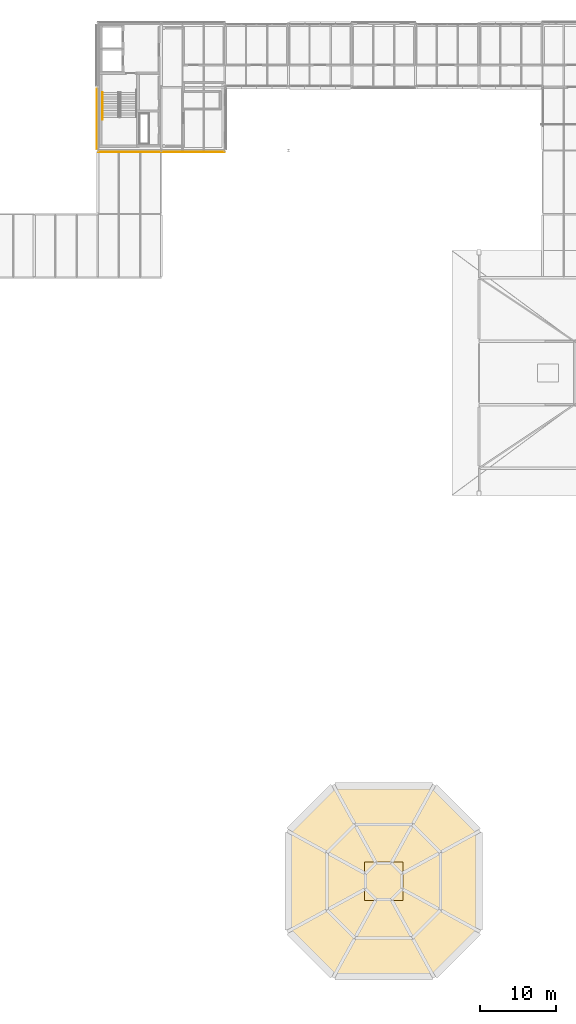
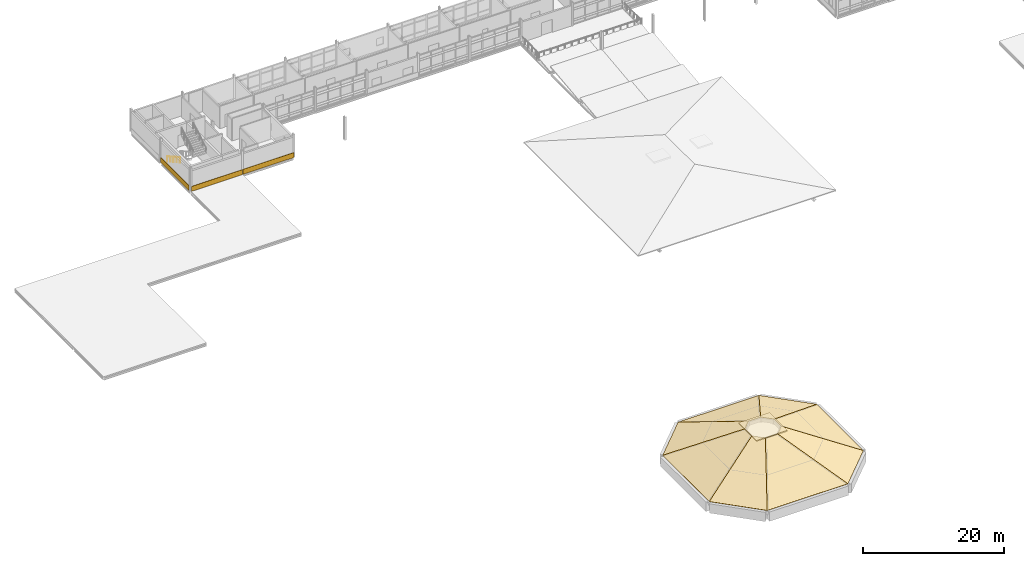
# One storey, part 58 of 66: 12 coverings, 1 railing.
"""IFC4 building model written with IfcOpenShell, lengths in metres."""

from ifc_helpers import new_model, si_unit, direction, frame, origin, origin_2d, place, context, subcontext, project, spatial, polyline, rectangle, circle, outline, extrude, material, layer, layer_set, type_object, element, save


model = new_model("IFC4")

# Units and contexts
model_context = context("Model", 3, precision=1e-05, world=origin(), true_north=direction((0.0, 1.0)))
body_context = subcontext(model_context, "Body", "Model", "MODEL_VIEW")
ifc_project = project(units=[si_unit("LENGTHUNIT", "METRE"), si_unit("AREAUNIT", "SQUARE_METRE"), si_unit("VOLUMEUNIT", "CUBIC_METRE"), si_unit("PLANEANGLEUNIT", "RADIAN"), si_unit("MASSUNIT", "GRAM", prefix="KILO")], contexts=[model_context])

# Site, building, storey
site_placement = place(None, origin())
site = spatial("IfcSite", under=ifc_project, at=site_placement, CompositionType="ELEMENT")
building_placement = place(site_placement, origin())
building = spatial("IfcBuilding", under=site, at=building_placement, Name="Mersafa Astral City Hall", CompositionType="ELEMENT")
storey_placement = place(building_placement, frame((0.0, 0.0, 22.050048828125)))
storey = spatial("IfcBuildingStorey", under=building, at=storey_placement, Name="L05", CompositionType="ELEMENT", Elevation=22.050048828125)

# Coverings
ifc_material_1 = material(Name="Cairo Mokattam buff limestone cladding", Category="masonry")
ifc_layer_1 = layer(ifc_material_1, 0.06005859375, Name="Cairo Mokattam buff limestone cladding")
ifc_layer_set_1 = layer_set([ifc_layer_1], Name="Cairo Mokattam buff limestone cladding — ENV-COV-LIMESTONE-60")
covering_type_1 = type_object("IfcCoveringType", Name="ENV-COV-LIMESTONE-60", PredefinedType="CLADDING", material=ifc_layer_set_1)
covering_1_placement = place(storey_placement, frame((41.860595703125, 113.405029296875, 0.0), z_axis=(0.0, 0.0, 1.0), x_axis=(0.0, -1.0, 0.0)))
element("IfcCovering", 1, at=covering_1_placement, inside=storey, type_object=covering_type_1, Name="L05 Cairo buff limestone rainscreen cladding 337", PredefinedType="CLADDING", context=body_context, shape_type="SweptSolid", body=[
    extrude(rectangle(XDim=7.998046875, YDim=0.06005859375, at=origin_2d()), origin(), (0.0, 0.0, 1.0), 0.860107421875),
])
for number, where, z_axis, x_axis, name in (
    (2, (46.199951171875, 109.02294921875, 0.0), (0.0, 0.0, 1.0), (1.0, 0.0, 0.0), "L05 Cairo buff limestone rainscreen cladding 338"),
    (3, (54.60009765625, 109.030517578125, 0.0), (0.0, 0.0, 1.0), (1.0, 0.0, 0.0), "L05 Cairo buff limestone rainscreen cladding 339"),
):
    element("IfcCovering", number, at=place(storey_placement, frame(where, z_axis=z_axis, x_axis=x_axis)), inside=storey, type_object=covering_type_1, Name=name, PredefinedType="CLADDING", context=body_context, shape_type="SweptSolid", body=[
        extrude(rectangle(XDim=8.323974609375, YDim=0.06005859375, at=origin_2d()), origin(), (0.0, 0.0, 1.0), 0.860107421875),
    ])
ifc_material_2 = material(Name="Egyptian ceramic terracotta roof tile", Category="masonry")
ifc_layer_2 = layer(ifc_material_2, 0.054931640625, Name="Egyptian ceramic terracotta roof tile")
ifc_layer_set_2 = layer_set([ifc_layer_2], Name="Egyptian ceramic terracotta roof tile — ENV-COV-TERRACOTTA-55")
covering_type_2 = type_object("IfcCoveringType", Name="ENV-COV-TERRACOTTA-55", PredefinedType="ROOFING", material=ifc_layer_set_2)
covering_2_placement = place(storey_placement, frame((73.199951171875, 0.0, 0.052978515625), z_axis=(0.0, -0.396085298154, 0.918213720539), x_axis=(1.0, 0.0, 0.0)))
element("IfcCovering", 4, at=covering_2_placement, inside=storey, type_object=covering_type_2, Name="L05 Warm terracotta ceramic roof tile covering 1", PredefinedType="ROOFING", context=body_context, shape_type="SweptSolid", body=[
    extrude(outline(polyline([(0.0, 0.0), (13.199951171875, 0.0), (7.60009765625, 11.108471746517202), (5.60009765625, 11.108471746517202), (0.0, 0.0)])), origin(), (0.0, 0.0, -1.0), 0.054931640625),
])
covering_3_placement = place(storey_placement, frame((86.39990234375, 0.0, 0.052978515625), z_axis=(0.259110928282, -0.25910237987, 0.930444777292), x_axis=(0.707105214967, 0.70710834738, -5.624204e-06)))
element("IfcCovering", 5, at=covering_3_placement, inside=storey, type_object=covering_type_2, Name="L05 Warm terracotta ceramic roof tile covering 2", PredefinedType="ROOFING", context=body_context, shape_type="SweptSolid", body=[
    extrude(outline(polyline([(0.0, 0.0), (8.485281374083556, 8.881784197001252e-16), (5.232693760970947, 12.007493998295539), (3.2527602466041103, 12.007333372364984), (0.0, 0.0)])), origin(), (0.0, 0.0, -1.0), 0.054931640625),
])
covering_4_placement = place(storey_placement, frame((92.39990234375, 6.0, 0.052978515625), z_axis=(0.396085298154, 0.0, 0.918213720539), x_axis=(0.0, 1.0, 0.0)))
element("IfcCovering", 6, at=covering_4_placement, inside=storey, type_object=covering_type_2, Name="L05 Warm terracotta ceramic roof tile covering 3", PredefinedType="ROOFING", context=body_context, shape_type="SweptSolid", body=[
    extrude(outline(polyline([(0.0, 0.0), (13.199951171875, 0.0), (7.60009765625, 11.108471746517202), (5.60009765625, 11.108471746517202), (0.0, 0.0)])), origin(), (0.0, 0.0, -1.0), 0.054931640625),
])
covering_5_placement = place(storey_placement, frame((92.39990234375, 19.199951171875, 0.052978515625), z_axis=(0.259108387127, 0.259108387127, 0.930443812081), x_axis=(-0.707106781187, 0.707106781187, 0.0)))
element("IfcCovering", 7, at=covering_5_placement, inside=storey, type_object=covering_type_2, Name="L05 Warm terracotta ceramic roof tile covering 4", PredefinedType="ROOFING", context=body_context, shape_type="SweptSolid", body=[
    extrude(outline(polyline([(0.0, 0.0), (8.485281374238571, 0.0), (5.232521127383852, 12.007333372406643), (3.252760246854719, 12.007333372406642), (0.0, 0.0)])), origin(), (0.0, 0.0, -1.0), 0.054931640625),
])
covering_6_placement = place(storey_placement, frame((86.39990234375, 25.199951171875, 0.052978515625), z_axis=(0.0, 0.396085298154, 0.918213720539), x_axis=(-1.0, 0.0, 0.0)))
element("IfcCovering", 8, at=covering_6_placement, inside=storey, type_object=covering_type_2, Name="L05 Warm terracotta ceramic roof tile covering 5", PredefinedType="ROOFING", context=body_context, shape_type="SweptSolid", body=[
    extrude(outline(polyline([(0.0, 0.0), (13.199951171875, 0.0), (7.599853515625, 11.108471746517202), (5.599853515625, 11.108471746517202), (0.0, 0.0)])), origin(), (0.0, 0.0, -1.0), 0.054931640625),
])
covering_7_placement = place(storey_placement, frame((73.199951171875, 25.199951171875, 0.052978515625), z_axis=(-0.25910237987, 0.259110928282, 0.930444777292), x_axis=(-0.70710834738, -0.707105214967, 5.624204e-06)))
element("IfcCovering", 9, at=covering_7_placement, inside=storey, type_object=covering_type_2, Name="L05 Warm terracotta ceramic roof tile covering 6", PredefinedType="ROOFING", context=body_context, shape_type="SweptSolid", body=[
    extrude(outline(polyline([(0.0, 0.0), (8.485281374083556, -8.881784197001252e-16), (5.232521127479445, 12.007333372364984), (3.2525876131126075, 12.007493998295539), (0.0, 0.0)])), origin(), (0.0, 0.0, -1.0), 0.054931640625),
])
covering_8_placement = place(storey_placement, frame((67.199951171875, 19.199951171875, 0.052978515625), z_axis=(-0.396085298154, 0.0, 0.918213720539), x_axis=(0.0, -1.0, 0.0)))
element("IfcCovering", 10, at=covering_8_placement, inside=storey, type_object=covering_type_2, Name="L05 Warm terracotta ceramic roof tile covering 7", PredefinedType="ROOFING", context=body_context, shape_type="SweptSolid", body=[
    extrude(outline(polyline([(0.0, 0.0), (13.199951171875, 0.0), (7.599853515625, 11.108471746517202), (5.599853515625, 11.108471746517202), (0.0, 0.0)])), origin(), (0.0, 0.0, -1.0), 0.054931640625),
])
covering_9_placement = place(storey_placement, frame((67.199951171875, 6.0, 0.052978515625), z_axis=(-0.259104920998, -0.259104920998, 0.93044574255), x_axis=(0.707106781187, -0.707106781187, 0.0)))
element("IfcCovering", 11, at=covering_9_placement, inside=storey, type_object=covering_type_2, Name="L05 Warm terracotta ceramic roof tile covering 8", PredefinedType="ROOFING", context=body_context, shape_type="SweptSolid", body=[
    extrude(outline(polyline([(0.0, 0.0), (8.485281374238571, 0.0), (5.232693760875352, 12.007493998337198), (3.2525876133632186, 12.007493998337198), (0.0, 0.0)])), origin(), (0.0, 0.0, -1.0), 0.054931640625),
])
ifc_material_3 = material(Name="Laminated solar control double skylight glazing", Category="glass")
covering_type_3 = type_object("IfcCoveringType", Name="ENV-SKY-OCULUS", PredefinedType="MEMBRANE", material=ifc_material_3)
covering_10_placement = place(storey_placement, frame((79.800048828125, 12.60009765625, 4.41015625), z_axis=(0.0, 0.0, 1.0), x_axis=(1.0, 0.0, 0.0)))
element("IfcCovering", 12, at=covering_10_placement, inside=storey, type_object=covering_type_3, Name="Council Chamber Solar Oculus Glazed Skylight", PredefinedType="MEMBRANE", context=body_context, shape_type="SweptSolid", body=[
    extrude(rectangle(XDim=5.10009765625, YDim=5.10009765625, at=origin_2d()), origin(), (0.0, 0.0, 1.0), 0.219970703125),
])

# Railing
ifc_material_4 = material(Name="Brushed stainless steel tubular handrail", Category="steel")
railing_type = type_object("IfcRailingType", Name="HANDRAIL", PredefinedType="HANDRAIL", material=ifc_material_4)
railing_placement = place(storey_placement, frame((42.6298828125, 116.89990234375, 0.168701171875)))
element("IfcRailing", 13, at=railing_placement, inside=storey, type_object=railing_type, Name="L05 ST3 stair handrail 1", PredefinedType="HANDRAIL", context=body_context, shape_type="SweptSolid", body=[
    extrude(circle(Radius=0.02392578125, at=origin_2d()), frame((0.0, 0.0, 0.8759765625), z_axis=(0.0, -0.871248695433, 0.49084183879), x_axis=(1.0, 0.0, 0.0)), (0.0, 0.0, 1.0), 4.1318359375),
    extrude(circle(Radius=0.02099609375, at=origin_2d()), origin(), (0.0, 0.0, 1.0), 0.851806640625),
    extrude(circle(Radius=0.02099609375, at=origin_2d()), frame((0.0, -0.89990234375, 0.507080078125)), (0.0, 0.0, 1.0), 0.851806640625),
    extrude(circle(Radius=0.02099609375, at=origin_2d()), frame((0.0, -1.7998046875, 1.01416015625)), (0.0, 0.0, 1.0), 0.851806640625),
    extrude(circle(Radius=0.02099609375, at=origin_2d()), frame((0.0, -2.699951171875, 1.52099609375)), (0.0, 0.0, 1.0), 0.851806640625),
    extrude(circle(Radius=0.02099609375, at=origin_2d()), frame((0.0, -3.599853515625, 2.028076171875)), (0.0, 0.0, 1.0), 0.851806640625),
])

save(model, "model.ifc")
